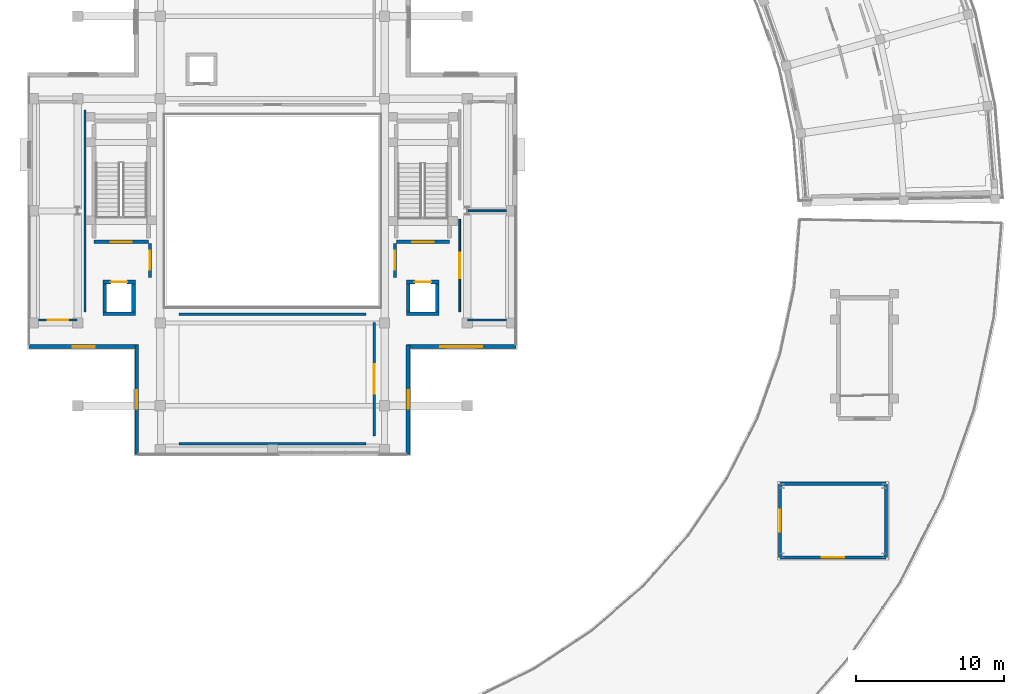
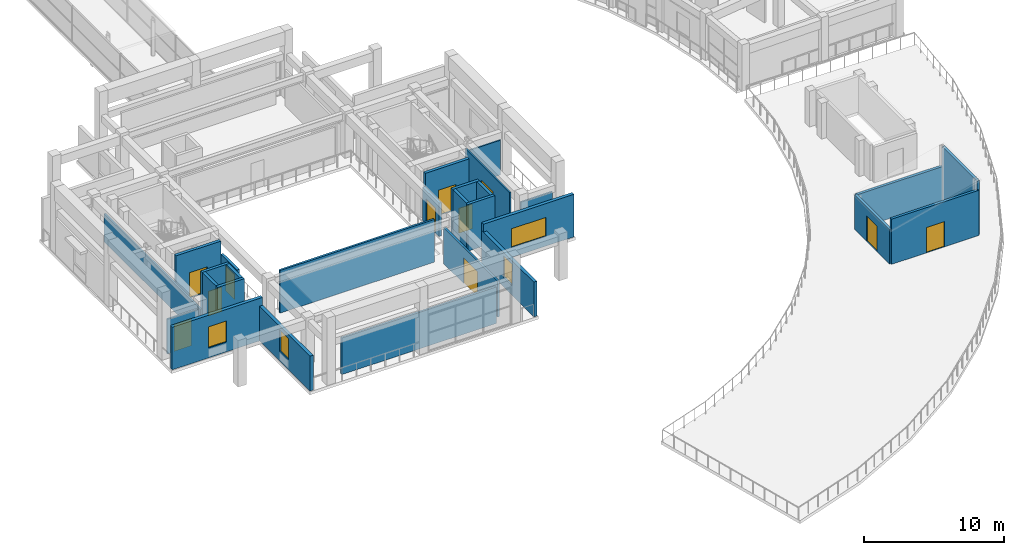
# One storey, part 19 of 29: 28 walls, 11 doors, 4 windows, 15 openings.
"""IFC4 building model written with IfcOpenShell, lengths in metres."""

from ifc_helpers import new_model, si_unit, direction, frame, frame_2d, origin, place, context, subcontext, project, spatial, rectangle, extrude, material, layer, layer_set, type_object, element, fill, save


model = new_model("IFC4")

# Units and contexts
model_context = context("Model", 3, precision=1e-05, world=origin(), true_north=direction((0.0, 1.0)))
body_context = subcontext(model_context, "Body", "Model", "MODEL_VIEW")
ifc_project = project(units=[si_unit("LENGTHUNIT", "METRE"), si_unit("AREAUNIT", "SQUARE_METRE"), si_unit("VOLUMEUNIT", "CUBIC_METRE"), si_unit("PLANEANGLEUNIT", "RADIAN"), si_unit("MASSUNIT", "GRAM", prefix="KILO")], contexts=[model_context])

# Site, building, storey
site_placement = place(None, origin())
site = spatial("IfcSite", under=ifc_project, at=site_placement, CompositionType="ELEMENT")
building_placement = place(site_placement, origin())
building = spatial("IfcBuilding", under=site, at=building_placement, Name="Saryqyr Civic Hall", CompositionType="ELEMENT")
storey_placement = place(building_placement, frame((0.0, 0.0, 25.35009765625)))
storey = spatial("IfcBuildingStorey", under=building, at=storey_placement, Name="L06", CompositionType="ELEMENT", Elevation=25.35009765625)

# Wall, opening, door
ifc_material_1 = material(Name="Precast concrete C40/50", Category="concrete")
ifc_layer_1 = layer(ifc_material_1, 0.219970703125, Name="Precast concrete C40/50")
ifc_layer_set_1 = layer_set([ifc_layer_1], Name="Precast concrete C40/50")
wall_type_1 = type_object("IfcWallType", Name="ENV-WAL-EXT-220", PredefinedType="STANDARD", material=ifc_layer_set_1)
wall_1_placement = place(storey_placement, frame((98.60009765625, 60.5, 0.0), z_axis=(0.0, 0.0, 1.0), x_axis=(-1.0, 0.0, 0.0)))
wall_1 = element("IfcWall", 1, at=wall_1_placement, inside=storey, type_object=wall_type_1, Name="Roof garden pavilion wall WAL-RG-V5-S", PredefinedType="STANDARD", context=body_context, shape_type="SweptSolid", body=[
    extrude(rectangle(XDim=7.2001953125, YDim=0.219970703125, at=frame_2d((3.60009765625, 0.0))), origin(), (0.0, 0.0, 1.0), 3.930908203125),
])
opening_1_placement = place(wall_1_placement, frame((2.85009765625, 0.0, 0.0)))
opening_1 = element("IfcOpeningElement", 2, at=opening_1_placement, cuts=wall_1, Name="Opening TD-A", PredefinedType="OPENING", context=body_context, shape_type="SweptSolid", body=[
    extrude(rectangle(XDim=1.5, YDim=2.199951171875, at=frame_2d((0.75, 1.10009765625))), frame((0.0, 0.119873046875, 0.0), z_axis=(0.0, -1.0, 0.0), x_axis=(1.0, 0.0, 0.0)), (0.0, 0.0, 1.0), 0.239990234375),
])
ifc_material_2 = material(Name="Thermally broken painted galvanized steel", Category="steel")
door_type_1 = type_object("IfcDoorType", Name="ENV-DR-TERR-1500x2200", OperationType="NOTDEFINED", PredefinedType="DOOR", material=ifc_material_2)
door_1_placement = place(opening_1_placement, origin())
door_1 = element("IfcDoor", 3, at=door_1_placement, inside=storey, type_object=door_type_1, Name="Planted roof garden terrace access door RG-V5", OperationType="SINGLE_SWING_RIGHT", OverallHeight=2.199951171875, OverallWidth=1.5, PredefinedType="DOOR", context=body_context, shape_type="SweptSolid", body=[
    extrude(rectangle(XDim=1.5, YDim=2.199951171875, at=frame_2d((0.75, 1.10009765625))), frame((0.0, 0.02490234375, 0.0), z_axis=(0.0, -1.0, 0.0), x_axis=(1.0, 0.0, 0.0)), (0.0, 0.0, 1.0), 0.050048828125),
])
fill(opening_1, door_1)

# Walls
wall_2_placement = place(storey_placement, frame((98.60009765625, 65.5, 0.0), z_axis=(0.0, 0.0, 1.0), x_axis=(0.0, -1.0, 0.0)))
element("IfcWall", 4, at=wall_2_placement, inside=storey, type_object=wall_type_1, Name="Roof garden pavilion wall WAL-RG-V5-E", PredefinedType="STANDARD", context=body_context, shape_type="SweptSolid", body=[
    extrude(rectangle(XDim=5.0, YDim=0.219970703125, at=frame_2d((2.5, 0.0))), origin(), (0.0, 0.0, 1.0), 4.681884765625),
])
wall_3_placement = place(storey_placement, frame((91.39990234375, 65.5, 0.0), z_axis=(0.0, 0.0, 1.0), x_axis=(1.0, 0.0, 0.0)))
element("IfcWall", 5, at=wall_3_placement, inside=storey, type_object=wall_type_1, Name="Roof garden pavilion wall WAL-RG-V5-N", PredefinedType="STANDARD", context=body_context, shape_type="SweptSolid", body=[
    extrude(rectangle(XDim=7.2001953125, YDim=0.219970703125, at=frame_2d((3.60009765625, 0.0))), origin(), (0.0, 0.0, 1.0), 3.0),
])

# Wall, opening, door
wall_4_placement = place(storey_placement, frame((91.39990234375, 60.5, 0.0), z_axis=(0.0, 0.0, 1.0), x_axis=(0.0, 1.0, 0.0)))
wall_4 = element("IfcWall", 6, at=wall_4_placement, inside=storey, type_object=wall_type_1, Name="Roof garden pavilion wall WAL-RG-V5-W", PredefinedType="STANDARD", context=body_context, shape_type="SweptSolid", body=[
    extrude(rectangle(XDim=5.0, YDim=0.219970703125, at=frame_2d((2.5, 0.0))), origin(), (0.0, 0.0, 1.0), 3.0),
])
opening_2_placement = place(wall_4_placement, frame((1.75, 0.0, 0.0)))
opening_2 = element("IfcOpeningElement", 7, at=opening_2_placement, cuts=wall_4, Name="Opening TD-A", PredefinedType="OPENING", context=body_context, shape_type="SweptSolid", body=[
    extrude(rectangle(XDim=1.5, YDim=2.199951171875, at=frame_2d((0.75, 1.10009765625))), frame((0.0, 0.119873046875, 0.0), z_axis=(0.0, -1.0, 0.0), x_axis=(1.0, 0.0, 0.0)), (0.0, 0.0, 1.0), 0.239990234375),
])
door_2_placement = place(opening_2_placement, origin())
door_2 = element("IfcDoor", 8, at=door_2_placement, inside=storey, type_object=door_type_1, Name="Planted roof garden terrace access door RG-V5", OperationType="SINGLE_SWING_LEFT", OverallHeight=2.199951171875, OverallWidth=1.5, PredefinedType="DOOR", context=body_context, shape_type="SweptSolid", body=[
    extrude(rectangle(XDim=1.5, YDim=2.199951171875, at=frame_2d((0.75, 1.10009765625))), frame((0.0, 0.02490234375, 0.0), z_axis=(0.0, -1.0, 0.0), x_axis=(1.0, 0.0, 0.0)), (0.0, 0.0, 1.0), 0.050048828125),
])
fill(opening_2, door_2)

# Wall, opening, window
ifc_layer_2 = layer(ifc_material_1, 0.27001953125, Name="Precast concrete C40/50")
ifc_layer_set_2 = layer_set([ifc_layer_2], Name="Precast concrete C40/50")
wall_type_2 = type_object("IfcWallType", Name="ENV-WAL-EXT-270", PredefinedType="STANDARD", material=ifc_layer_set_2)
wall_5_placement = place(storey_placement, frame((47.800048828125, 67.47998046875, 0.0), z_axis=(0.0, 0.0, 1.0), x_axis=(0.0, 1.0, 0.0)))
wall_5 = element("IfcWall", 9, at=wall_5_placement, inside=storey, type_object=wall_type_2, Name="Exterior wall V1-EW-L06-00", PredefinedType="STANDARD", context=body_context, shape_type="SweptSolid", body=[
    extrude(rectangle(XDim=7.43994140625, YDim=0.27001953125, at=frame_2d((3.719970703125, 0.0))), origin(), (0.0, 0.0, 1.0), 3.02490234375),
])
opening_3_placement = place(wall_5_placement, frame((3.094970703125, 0.0, 0.85009765625)))
opening_3 = element("IfcOpeningElement", 10, at=opening_3_placement, cuts=wall_5, Name="Opening W-25", PredefinedType="OPENING", context=body_context, shape_type="SweptSolid", body=[
    extrude(rectangle(XDim=1.25, YDim=1.85009765625, at=frame_2d((0.625, 0.925048828125))), frame((0.0, 0.14501953125, 0.0), z_axis=(0.0, -1.0, 0.0), x_axis=(1.0, 0.0, 0.0)), (0.0, 0.0, 1.0), 0.2900390625),
])
ifc_material_3 = material(Name="Anodised aluminium and triple low-E glass", Category="aluminium")
window_type_1 = type_object("IfcWindowType", Name="ENV-WIN-W25", PartitioningType="SINGLE_PANEL", PredefinedType="WINDOW", material=ifc_material_3)
window_1_placement = place(opening_3_placement, origin())
window_1 = element("IfcWindow", 11, at=window_1_placement, inside=storey, type_object=window_type_1, Name="Chamber cluster window L06-00", OverallHeight=1.85009765625, OverallWidth=1.25, PartitioningType="SINGLE_PANEL", PredefinedType="WINDOW", context=body_context, shape_type="SweptSolid", body=[
    extrude(rectangle(XDim=1.25, YDim=1.85009765625, at=frame_2d((0.625, 0.925048828125))), frame((0.0, 0.030029296875, 0.0), z_axis=(0.0, -1.0, 0.0), x_axis=(1.0, 0.0, 0.0)), (0.0, 0.0, 1.0), 0.06005859375),
])
fill(opening_3, window_1)

wall_6_placement = place(storey_placement, frame((47.919921875, 74.800048828125, 0.0), z_axis=(0.0, 0.0, 1.0), x_axis=(-1.0, 0.0, 0.0)))
wall_6 = element("IfcWall", 12, at=wall_6_placement, inside=storey, type_object=wall_type_2, Name="Exterior wall V1-EW-L06-01", PredefinedType="STANDARD", context=body_context, shape_type="SweptSolid", body=[
    extrude(rectangle(XDim=7.43994140625, YDim=0.27001953125, at=frame_2d((3.719970703125, 0.0))), origin(), (0.0, 0.0, 1.0), 3.699951171875),
])
opening_4_placement = place(wall_6_placement, frame((2.969970703125, 0.0, 0.85009765625)))
opening_4 = element("IfcOpeningElement", 13, at=opening_4_placement, cuts=wall_6, Name="Opening W-26", PredefinedType="OPENING", context=body_context, shape_type="SweptSolid", body=[
    extrude(rectangle(XDim=1.5, YDim=1.85009765625, at=frame_2d((0.75, 0.925048828125))), frame((0.0, 0.14501953125, 0.0), z_axis=(0.0, -1.0, 0.0), x_axis=(1.0, 0.0, 0.0)), (0.0, 0.0, 1.0), 0.2900390625),
])
window_type_2 = type_object("IfcWindowType", Name="ENV-WIN-W26", PartitioningType="SINGLE_PANEL", PredefinedType="WINDOW", material=ifc_material_3)
window_2_placement = place(opening_4_placement, origin())
window_2 = element("IfcWindow", 14, at=window_2_placement, inside=storey, type_object=window_type_2, Name="Chamber cluster window L06-01", OverallHeight=1.85009765625, OverallWidth=1.5, PartitioningType="SINGLE_PANEL", PredefinedType="WINDOW", context=body_context, shape_type="SweptSolid", body=[
    extrude(rectangle(XDim=1.5, YDim=1.85009765625, at=frame_2d((0.75, 0.925048828125))), frame((0.0, 0.030029296875, 0.0), z_axis=(0.0, -1.0, 0.0), x_axis=(1.0, 0.0, 0.0)), (0.0, 0.0, 1.0), 0.06005859375),
])
fill(opening_4, window_2)

wall_7_placement = place(storey_placement, frame((73.52001953125, 74.800048828125, 0.0), z_axis=(0.0, 0.0, 1.0), x_axis=(-1.0, 0.0, 0.0)))
wall_7 = element("IfcWall", 15, at=wall_7_placement, inside=storey, type_object=wall_type_2, Name="Exterior wall V1-EW-L06-09", PredefinedType="STANDARD", context=body_context, shape_type="SweptSolid", body=[
    extrude(rectangle(XDim=7.43994140625, YDim=0.27001953125, at=frame_2d((3.719970703125, 0.0))), origin(), (0.0, 0.0, 1.0), 3.699951171875),
])
opening_5_placement = place(wall_7_placement, frame((2.294921875, 0.0, 0.85009765625)))
opening_5 = element("IfcOpeningElement", 16, at=opening_5_placement, cuts=wall_7, Name="Opening W-24", PredefinedType="OPENING", context=body_context, shape_type="SweptSolid", body=[
    extrude(rectangle(XDim=2.85009765625, YDim=1.64990234375, at=frame_2d((1.425048828125, 0.824951171875))), frame((0.0, 0.14501953125, 0.0), z_axis=(0.0, -1.0, 0.0), x_axis=(1.0, 0.0, 0.0)), (0.0, 0.0, 1.0), 0.2900390625),
])
window_type_3 = type_object("IfcWindowType", Name="ENV-WIN-W24", PartitioningType="SINGLE_PANEL", PredefinedType="WINDOW", material=ifc_material_3)
window_3_placement = place(opening_5_placement, origin())
window_3 = element("IfcWindow", 17, at=window_3_placement, inside=storey, type_object=window_type_3, Name="Chamber cluster window L06-09", OverallHeight=1.64990234375, OverallWidth=2.85009765625, PartitioningType="SINGLE_PANEL", PredefinedType="WINDOW", context=body_context, shape_type="SweptSolid", body=[
    extrude(rectangle(XDim=2.85009765625, YDim=1.64990234375, at=frame_2d((1.425048828125, 0.824951171875))), frame((0.0, 0.030029296875, 0.0), z_axis=(0.0, -1.0, 0.0), x_axis=(1.0, 0.0, 0.0)), (0.0, 0.0, 1.0), 0.06005859375),
])
fill(opening_5, window_3)

wall_8_placement = place(storey_placement, frame((66.199951171875, 74.919921875, 0.0), z_axis=(0.0, 0.0, 1.0), x_axis=(0.0, -1.0, 0.0)))
wall_8 = element("IfcWall", 18, at=wall_8_placement, inside=storey, type_object=wall_type_2, Name="Exterior wall V1-EW-L06-10", PredefinedType="STANDARD", context=body_context, shape_type="SweptSolid", body=[
    extrude(rectangle(XDim=7.43994140625, YDim=0.27001953125, at=frame_2d((3.719970703125, 0.0))), origin(), (0.0, 0.0, 1.0), 3.02490234375),
])
opening_6_placement = place(wall_8_placement, frame((3.094970703125, 0.0, 0.85009765625)))
opening_6 = element("IfcOpeningElement", 19, at=opening_6_placement, cuts=wall_8, Name="Opening W-25", PredefinedType="OPENING", context=body_context, shape_type="SweptSolid", body=[
    extrude(rectangle(XDim=1.25, YDim=1.85009765625, at=frame_2d((0.625, 0.925048828125))), frame((0.0, 0.14501953125, 0.0), z_axis=(0.0, -1.0, 0.0), x_axis=(1.0, 0.0, 0.0)), (0.0, 0.0, 1.0), 0.2900390625),
])
window_4_placement = place(opening_6_placement, origin())
window_4 = element("IfcWindow", 20, at=window_4_placement, inside=storey, type_object=window_type_1, Name="Chamber cluster window L06-10", OverallHeight=1.85009765625, OverallWidth=1.25, PartitioningType="SINGLE_PANEL", PredefinedType="WINDOW", context=body_context, shape_type="SweptSolid", body=[
    extrude(rectangle(XDim=1.25, YDim=1.85009765625, at=frame_2d((0.625, 0.925048828125))), frame((0.0, 0.030029296875, 0.0), z_axis=(0.0, -1.0, 0.0), x_axis=(1.0, 0.0, 0.0)), (0.0, 0.0, 1.0), 0.06005859375),
])
fill(opening_6, window_4)

# Wall, opening, door
ifc_material_4 = material(Name="Autoclaved aerated concrete blockwork", Category="masonry")
ifc_layer_3 = layer(ifc_material_4, 0.199951171875, Name="Autoclaved aerated concrete blockwork")
ifc_layer_set_3 = layer_set([ifc_layer_3], Name="Autoclaved aerated concrete blockwork")
wall_type_3 = type_object("IfcWallType", Name="INT-WAL-FIR-200", PredefinedType="PARTITIONING", material=ifc_layer_set_3)
wall_9_placement = place(storey_placement, frame((48.699951171875, 81.800048828125, 0.0), z_axis=(0.0, 0.0, 1.0), x_axis=(0.0, -1.0, 0.0)))
wall_9 = element("IfcWall", 21, at=wall_9_placement, inside=storey, type_object=wall_type_3, Name="Firefighting lift lobby enclosure wall LF-01 L06", PredefinedType="PARTITIONING", context=body_context, shape_type="SweptSolid", body=[
    extrude(rectangle(XDim=2.300048828125, YDim=0.199951171875, at=frame_2d((1.14990234375, 0.0))), origin(), (0.0, 0.0, 1.0), 2.89990234375),
])
opening_7_placement = place(wall_9_placement, frame((0.5, 0.0, 0.0)))
opening_7 = element("IfcOpeningElement", 22, at=opening_7_placement, cuts=wall_9, Name="Opening FD-01", PredefinedType="OPENING", context=body_context, shape_type="SweptSolid", body=[
    extrude(rectangle(XDim=1.300048828125, YDim=2.199951171875, at=frame_2d((0.64990234375, 1.10009765625))), frame((0.0, 0.10986328125, 0.0), z_axis=(0.0, -1.0, 0.0), x_axis=(1.0, 0.0, 0.0)), (0.0, 0.0, 1.0), 0.219970703125),
])
ifc_material_5 = material(Name="Painted galvanized steel", Category="steel")
door_type_2 = type_object("IfcDoorType", Name="INT-DR-FFLOB-1300x2200", OperationType="NOTDEFINED", PredefinedType="DOOR", material=ifc_material_5)
door_3_placement = place(opening_7_placement, origin())
door_3 = element("IfcDoor", 23, at=door_3_placement, inside=storey, type_object=door_type_2, Name="Firefighting lift lobby smoke-control door LF-01 L06", OperationType="SINGLE_SWING_RIGHT", OverallHeight=2.199951171875, OverallWidth=1.300048828125, PredefinedType="DOOR", context=body_context, shape_type="SweptSolid", body=[
    extrude(rectangle(XDim=1.300048828125, YDim=2.199951171875, at=frame_2d((0.64990234375, 1.10009765625))), frame((0.0, 0.02490234375, 0.0), z_axis=(0.0, -1.0, 0.0), x_axis=(1.0, 0.0, 0.0)), (0.0, 0.0, 1.0), 0.050048828125),
])
fill(opening_7, door_3)

wall_10_placement = place(storey_placement, frame((65.300048828125, 79.5, 0.0), z_axis=(0.0, 0.0, 1.0), x_axis=(0.0, 1.0, 0.0)))
wall_10 = element("IfcWall", 24, at=wall_10_placement, inside=storey, type_object=wall_type_3, Name="Firefighting lift lobby enclosure wall LF-02 L06", PredefinedType="PARTITIONING", context=body_context, shape_type="SweptSolid", body=[
    extrude(rectangle(XDim=2.300048828125, YDim=0.199951171875, at=frame_2d((1.14990234375, 0.0))), origin(), (0.0, 0.0, 1.0), 2.89990234375),
])
opening_8_placement = place(wall_10_placement, frame((0.5, 0.0, 0.0)))
opening_8 = element("IfcOpeningElement", 25, at=opening_8_placement, cuts=wall_10, Name="Opening FD-01", PredefinedType="OPENING", context=body_context, shape_type="SweptSolid", body=[
    extrude(rectangle(XDim=1.300048828125, YDim=2.199951171875, at=frame_2d((0.64990234375, 1.10009765625))), frame((0.0, 0.10986328125, 0.0), z_axis=(0.0, -1.0, 0.0), x_axis=(1.0, 0.0, 0.0)), (0.0, 0.0, 1.0), 0.219970703125),
])
door_4_placement = place(opening_8_placement, origin())
door_4 = element("IfcDoor", 26, at=door_4_placement, inside=storey, type_object=door_type_2, Name="Firefighting lift lobby smoke-control door LF-02 L06", OperationType="SINGLE_SWING_LEFT", OverallHeight=2.199951171875, OverallWidth=1.300048828125, PredefinedType="DOOR", context=body_context, shape_type="SweptSolid", body=[
    extrude(rectangle(XDim=1.300048828125, YDim=2.199951171875, at=frame_2d((0.64990234375, 1.10009765625))), frame((0.0, 0.02490234375, 0.0), z_axis=(0.0, -1.0, 0.0), x_axis=(1.0, 0.0, 0.0)), (0.0, 0.0, 1.0), 0.050048828125),
])
fill(opening_8, door_4)

ifc_material_6 = material(Name="Metal-stud gypsum board partition", Category="gypsum")
ifc_layer_4 = layer(ifc_material_6, 0.125, Name="Metal-stud gypsum board partition")
ifc_layer_set_4 = layer_set([ifc_layer_4], Name="Metal-stud gypsum board partition")
wall_type_4 = type_object("IfcWallType", Name="INT-WAL-PRT-125", PredefinedType="PARTITIONING", material=ifc_layer_set_4)
wall_11_placement = place(storey_placement, frame((69.699951171875, 77.14990234375, 0.0), z_axis=(0.0, 0.0, 1.0), x_axis=(0.0, 1.0, 0.0)))
wall_11 = element("IfcWall", 27, at=wall_11_placement, inside=storey, type_object=wall_type_4, Name="Interior partition PRT-SP-V1-L06-R04-W1", PredefinedType="PARTITIONING", context=body_context, shape_type="SweptSolid", body=[
    extrude(rectangle(XDim=6.300048828125, YDim=0.125, at=frame_2d((3.14990234375, 0.0))), origin(), (0.0, 0.0, 1.0), 3.7099609375),
])
opening_9_placement = place(wall_11_placement, frame((2.300048828125, 0.0, 0.0)))
opening_9 = element("IfcOpeningElement", 28, at=opening_9_placement, cuts=wall_11, Name="Opening D-19", PredefinedType="OPENING", context=body_context, shape_type="SweptSolid", body=[
    extrude(rectangle(XDim=1.699951171875, YDim=2.35009765625, at=frame_2d((0.85009765625, 1.175048828125))), frame((0.0, 0.072509765625, 0.0), z_axis=(0.0, -1.0, 0.0), x_axis=(1.0, 0.0, 0.0)), (0.0, 0.0, 1.0), 0.14501953125),
])
ifc_material_7 = material(Name="Acoustic solid-core oak veneer", Category="wood")
door_type_3 = type_object("IfcDoorType", Name="INT-DR-D-19", OperationType="NOTDEFINED", PredefinedType="DOOR", material=ifc_material_7)
door_5_placement = place(opening_9_placement, origin())
door_5 = element("IfcDoor", 29, at=door_5_placement, inside=storey, type_object=door_type_3, Name="Interior door East Terrace Diplomatic Lounge", OperationType="DOUBLE_DOOR_SINGLE_SWING", OverallHeight=2.35009765625, OverallWidth=1.699951171875, PredefinedType="DOOR", context=body_context, shape_type="SweptSolid", body=[
    extrude(rectangle(XDim=1.699951171875, YDim=2.35009765625, at=frame_2d((0.85009765625, 1.175048828125))), frame((0.0, 0.02490234375, 0.0), z_axis=(0.0, -1.0, 0.0), x_axis=(1.0, 0.0, 0.0)), (0.0, 0.0, 1.0), 0.050048828125),
])
fill(opening_9, door_5)

# Walls
for number, where, z_axis, x_axis, name in (
    (30, (72.85009765625, 76.60009765625, 0.0), (0.0, 0.0, 1.0), (-1.0, 0.0, 0.0), "Interior partition PRT-SP-V1-L06-R04-W2"),
    (31, (70.25, 84.0, 0.0), (0.0, 0.0, 1.0), (1.0, 0.0, 0.0), "Interior partition PRT-SP-V1-L06-R04-W3"),
):
    element("IfcWall", number, at=place(storey_placement, frame(where, z_axis=z_axis, x_axis=x_axis)), inside=storey, type_object=wall_type_4, Name=name, PredefinedType="PARTITIONING", context=body_context, shape_type="SweptSolid", body=[
        extrude(rectangle(XDim=2.60009765625, YDim=0.125, at=frame_2d((1.300048828125, 0.0))), origin(), (0.0, 0.0, 1.0), 3.02490234375),
    ])

# Wall, opening, door
ifc_layer_5 = layer(ifc_material_6, 0.139892578125, Name="Metal-stud gypsum board partition")
ifc_layer_set_5 = layer_set([ifc_layer_5], Name="Metal-stud gypsum board partition")
wall_type_5 = type_object("IfcWallType", Name="INT-WAL-PRT-140", PredefinedType="PARTITIONING", material=ifc_layer_set_5)
wall_12_placement = place(storey_placement, frame((43.75, 76.60009765625, 0.0), z_axis=(0.0, 0.0, 1.0), x_axis=(-1.0, 0.0, 0.0)))
wall_12 = element("IfcWall", 32, at=wall_12_placement, inside=storey, type_object=wall_type_5, Name="Interior partition PRT-SP-V1-L06-R03-W1", PredefinedType="PARTITIONING", context=body_context, shape_type="SweptSolid", body=[
    extrude(rectangle(XDim=2.60009765625, YDim=0.139892578125, at=frame_2d((1.300048828125, 0.0))), origin(), (0.0, 0.0, 1.0), 3.02490234375),
])
opening_10_placement = place(wall_12_placement, frame((0.60009765625, 0.0, 0.0)))
opening_10 = element("IfcOpeningElement", 33, at=opening_10_placement, cuts=wall_12, Name="Opening D-18", PredefinedType="OPENING", context=body_context, shape_type="SweptSolid", body=[
    extrude(rectangle(XDim=1.39990234375, YDim=2.35009765625, at=frame_2d((0.699951171875, 1.175048828125))), frame((0.0, 0.079833984375, 0.0), z_axis=(0.0, -1.0, 0.0), x_axis=(1.0, 0.0, 0.0)), (0.0, 0.0, 1.0), 0.159912109375),
])
door_type_4 = type_object("IfcDoorType", Name="INT-DR-D-18", OperationType="NOTDEFINED", PredefinedType="DOOR", material=ifc_material_7)
door_6_placement = place(opening_10_placement, origin())
door_6 = element("IfcDoor", 34, at=door_6_placement, inside=storey, type_object=door_type_4, Name="Interior door Chamber Acoustics and Audio Control Studio", OperationType="SINGLE_SWING_RIGHT", OverallHeight=2.35009765625, OverallWidth=1.39990234375, PredefinedType="DOOR", context=body_context, shape_type="SweptSolid", body=[
    extrude(rectangle(XDim=1.39990234375, YDim=2.35009765625, at=frame_2d((0.699951171875, 1.175048828125))), frame((0.0, 0.02490234375, 0.0), z_axis=(0.0, -1.0, 0.0), x_axis=(1.0, 0.0, 0.0)), (0.0, 0.0, 1.0), 0.050048828125),
])
fill(opening_10, door_6)

# Walls
wall_13_placement = place(storey_placement, frame((44.300048828125, 90.85009765625, 0.0), z_axis=(0.0, 0.0, 1.0), x_axis=(0.0, -1.0, 0.0)))
element("IfcWall", 35, at=wall_13_placement, inside=storey, type_object=wall_type_5, Name="Interior partition PRT-SP-V1-L06-R03-W2", PredefinedType="PARTITIONING", context=body_context, shape_type="SweptSolid", body=[
    extrude(rectangle(XDim=13.7001953125, YDim=0.139892578125, at=frame_2d((6.85009765625, 0.0))), origin(), (0.0, 0.0, 1.0), 2.449951171875),
])
ifc_material_8 = material(Name="Acoustic double-stud gypsum board", Category="gypsum")
ifc_layer_6 = layer(ifc_material_8, 0.169921875, Name="Acoustic double-stud gypsum board")
ifc_layer_set_6 = layer_set([ifc_layer_6], Name="Acoustic double-stud gypsum board")
wall_type_6 = type_object("IfcWallType", Name="INT-WAL-PRT-170", PredefinedType="PARTITIONING", material=ifc_layer_set_6)
wall_14_placement = place(storey_placement, frame((50.64990234375, 77.0, 0.0), z_axis=(0.0, 0.0, 1.0), x_axis=(1.0, 0.0, 0.0)))
element("IfcWall", 36, at=wall_14_placement, inside=storey, type_object=wall_type_6, Name="Interior partition PRT-SP-V1-L06-R01-W1", PredefinedType="PARTITIONING", context=body_context, shape_type="SweptSolid", body=[
    extrude(rectangle(XDim=12.7001953125, YDim=0.169921875, at=frame_2d((6.35009765625, 0.0))), origin(), (0.0, 0.0, 1.0), 3.7099609375),
])
wall_15_placement = place(storey_placement, frame((63.35009765625, 68.199951171875, 0.0), z_axis=(0.0, 0.0, 1.0), x_axis=(-1.0, 0.0, 0.0)))
element("IfcWall", 37, at=wall_15_placement, inside=storey, type_object=wall_type_6, Name="Interior partition PRT-SP-V1-L06-R01-W2", PredefinedType="PARTITIONING", context=body_context, shape_type="SweptSolid", body=[
    extrude(rectangle(XDim=12.7001953125, YDim=0.169921875, at=frame_2d((6.35009765625, 0.0))), origin(), (0.0, 0.0, 1.0), 3.1748046875),
])

# Wall, opening, door
wall_16_placement = place(storey_placement, frame((63.89990234375, 76.449951171875, 0.0), z_axis=(0.0, 0.0, 1.0), x_axis=(0.0, -1.0, 0.0)))
wall_16 = element("IfcWall", 38, at=wall_16_placement, inside=storey, type_object=wall_type_6, Name="Interior partition PRT-SP-V1-L06-R01-W3", PredefinedType="PARTITIONING", context=body_context, shape_type="SweptSolid", body=[
    extrude(rectangle(XDim=7.699951171875, YDim=0.169921875, at=frame_2d((3.85009765625, 0.0))), origin(), (0.0, 0.0, 1.0), 3.125),
])
opening_11_placement = place(wall_16_placement, frame((2.85009765625, 0.0, 0.0)))
opening_11 = element("IfcOpeningElement", 39, at=opening_11_placement, cuts=wall_16, Name="Opening D-16", PredefinedType="OPENING", context=body_context, shape_type="SweptSolid", body=[
    extrude(rectangle(XDim=2.0, YDim=2.219970703125, at=frame_2d((1.0, 1.10986328125))), frame((0.0, 0.094970703125, 0.0), z_axis=(0.0, -1.0, 0.0), x_axis=(1.0, 0.0, 0.0)), (0.0, 0.0, 1.0), 0.18994140625),
])
door_type_5 = type_object("IfcDoorType", Name="INT-DR-D-16", OperationType="NOTDEFINED", PredefinedType="DOOR", material=ifc_material_7)
door_7_placement = place(opening_11_placement, origin())
door_7 = element("IfcDoor", 40, at=door_7_placement, inside=storey, type_object=door_type_5, Name="Interior door Simultaneous Interpretation Booths", OperationType="DOUBLE_DOOR_SINGLE_SWING", OverallHeight=2.219970703125, OverallWidth=2.0, PredefinedType="DOOR", context=body_context, shape_type="SweptSolid", body=[
    extrude(rectangle(XDim=2.0, YDim=2.219970703125, at=frame_2d((1.0, 1.10986328125))), frame((0.0, 0.02490234375, 0.0), z_axis=(0.0, -1.0, 0.0), x_axis=(1.0, 0.0, 0.0)), (0.0, 0.0, 1.0), 0.050048828125),
])
fill(opening_11, door_7)

# Walls
ifc_material_9 = material(Name="Concrete C40/50", Category="concrete")
ifc_layer_7 = layer(ifc_material_9, 0.239990234375, Name="Concrete C40/50")
ifc_layer_set_7 = layer_set([ifc_layer_7], Name="Concrete C40/50")
wall_type_7 = type_object("IfcWallType", Name="INT-WAL-SHR-240", PredefinedType="SHEAR", material=ifc_layer_set_7)
wall_17_placement = place(storey_placement, frame((47.699951171875, 77.02001953125, 0.0), z_axis=(0.0, 0.0, 1.0), x_axis=(-1.0, 0.0, 0.0)))
element("IfcWall", 41, at=wall_17_placement, inside=storey, type_object=wall_type_7, Name="Lift shaft shear wall LF-01-SHW-S-L06", PredefinedType="SHEAR", context=body_context, shape_type="SweptSolid", body=[
    extrude(rectangle(XDim=2.199951171875, YDim=0.239990234375, at=frame_2d((1.10009765625, 0.0))), origin(), (0.0, 0.0, 1.0), 4.0498046875),
])
wall_18_placement = place(storey_placement, frame((47.580078125, 79.06005859375, 0.0), z_axis=(0.0, 0.0, 1.0), x_axis=(0.0, -1.0, 0.0)))
element("IfcWall", 42, at=wall_18_placement, inside=storey, type_object=wall_type_7, Name="Lift shaft shear wall LF-01-SHW-E-L06", PredefinedType="SHEAR", context=body_context, shape_type="SweptSolid", body=[
    extrude(rectangle(XDim=1.920166015625, YDim=0.239990234375, at=frame_2d((0.9599609375, 0.0))), origin(), (0.0, 0.0, 1.0), 4.0498046875),
])

# Wall, opening, door
wall_19_placement = place(storey_placement, frame((45.5, 79.179931640625, 0.0), z_axis=(0.0, 0.0, 1.0), x_axis=(1.0, 0.0, 0.0)))
wall_19 = element("IfcWall", 43, at=wall_19_placement, inside=storey, type_object=wall_type_7, Name="Lift shaft shear wall LF-01-SHW-N-L06", PredefinedType="SHEAR", context=body_context, shape_type="SweptSolid", body=[
    extrude(rectangle(XDim=2.199951171875, YDim=0.239990234375, at=frame_2d((1.10009765625, 0.0))), origin(), (0.0, 0.0, 1.0), 4.0498046875),
])
opening_12_placement = place(wall_19_placement, frame((0.550048828125, 0.0, 0.0)))
opening_12 = element("IfcOpeningElement", 44, at=opening_12_placement, cuts=wall_19, Name="Opening LD-01", PredefinedType="OPENING", context=body_context, shape_type="SweptSolid", body=[
    extrude(rectangle(XDim=1.10009765625, YDim=2.14990234375, at=frame_2d((0.550048828125, 1.074951171875))), frame((0.0, 0.1298828125, 0.0), z_axis=(0.0, -1.0, 0.0), x_axis=(1.0, 0.0, 0.0)), (0.0, 0.0, 1.0), 0.260009765625),
])
ifc_material_10 = material(Name="Brushed stainless steel", Category="steel")
door_type_6 = type_object("IfcDoorType", Name="INT-DR-LD-1100x2150", OperationType="NOTDEFINED", PredefinedType="DOOR", material=ifc_material_10)
door_8_placement = place(opening_12_placement, origin())
door_8 = element("IfcDoor", 45, at=door_8_placement, inside=storey, type_object=door_type_6, Name="Lift sliding landing door LF-01 L06", OperationType="SLIDING_TO_LEFT", OverallHeight=2.14990234375, OverallWidth=1.10009765625, PredefinedType="DOOR", context=body_context, shape_type="SweptSolid", body=[
    extrude(rectangle(XDim=1.10009765625, YDim=2.14990234375, at=frame_2d((0.550048828125, 1.074951171875))), frame((0.0, 0.02490234375, 0.0), z_axis=(0.0, -1.0, 0.0), x_axis=(1.0, 0.0, 0.0)), (0.0, 0.0, 1.0), 0.050048828125),
])
fill(opening_12, door_8)

# Walls
wall_20_placement = place(storey_placement, frame((45.6201171875, 77.139892578125, 0.0), z_axis=(0.0, 0.0, 1.0), x_axis=(0.0, 1.0, 0.0)))
element("IfcWall", 46, at=wall_20_placement, inside=storey, type_object=wall_type_7, Name="Lift shaft shear wall LF-01-SHW-W-L06", PredefinedType="SHEAR", context=body_context, shape_type="SweptSolid", body=[
    extrude(rectangle(XDim=1.920166015625, YDim=0.239990234375, at=frame_2d((0.9599609375, 0.0))), origin(), (0.0, 0.0, 1.0), 4.0498046875),
])
wall_21_placement = place(storey_placement, frame((68.300048828125, 77.02001953125, 0.0), z_axis=(0.0, 0.0, 1.0), x_axis=(-1.0, 0.0, 0.0)))
element("IfcWall", 47, at=wall_21_placement, inside=storey, type_object=wall_type_7, Name="Lift shaft shear wall LF-02-SHW-S-L06", PredefinedType="SHEAR", context=body_context, shape_type="SweptSolid", body=[
    extrude(rectangle(XDim=2.199951171875, YDim=0.239990234375, at=frame_2d((1.10009765625, 0.0))), origin(), (0.0, 0.0, 1.0), 4.0498046875),
])
wall_22_placement = place(storey_placement, frame((68.179931640625, 79.06005859375, 0.0), z_axis=(0.0, 0.0, 1.0), x_axis=(0.0, -1.0, 0.0)))
element("IfcWall", 48, at=wall_22_placement, inside=storey, type_object=wall_type_7, Name="Lift shaft shear wall LF-02-SHW-E-L06", PredefinedType="SHEAR", context=body_context, shape_type="SweptSolid", body=[
    extrude(rectangle(XDim=1.920166015625, YDim=0.239990234375, at=frame_2d((0.9599609375, 0.0))), origin(), (0.0, 0.0, 1.0), 4.0498046875),
])

# Wall, opening, door
wall_23_placement = place(storey_placement, frame((66.10009765625, 79.179931640625, 0.0), z_axis=(0.0, 0.0, 1.0), x_axis=(1.0, 0.0, 0.0)))
wall_23 = element("IfcWall", 49, at=wall_23_placement, inside=storey, type_object=wall_type_7, Name="Lift shaft shear wall LF-02-SHW-N-L06", PredefinedType="SHEAR", context=body_context, shape_type="SweptSolid", body=[
    extrude(rectangle(XDim=2.199951171875, YDim=0.239990234375, at=frame_2d((1.10009765625, 0.0))), origin(), (0.0, 0.0, 1.0), 4.0498046875),
])
opening_13_placement = place(wall_23_placement, frame((0.550048828125, 0.0, 0.0)))
opening_13 = element("IfcOpeningElement", 50, at=opening_13_placement, cuts=wall_23, Name="Opening LD-01", PredefinedType="OPENING", context=body_context, shape_type="SweptSolid", body=[
    extrude(rectangle(XDim=1.10009765625, YDim=2.14990234375, at=frame_2d((0.550048828125, 1.074951171875))), frame((0.0, 0.1298828125, 0.0), z_axis=(0.0, -1.0, 0.0), x_axis=(1.0, 0.0, 0.0)), (0.0, 0.0, 1.0), 0.260009765625),
])
door_9_placement = place(opening_13_placement, origin())
door_9 = element("IfcDoor", 51, at=door_9_placement, inside=storey, type_object=door_type_6, Name="Lift sliding landing door LF-02 L06", OperationType="SLIDING_TO_RIGHT", OverallHeight=2.14990234375, OverallWidth=1.10009765625, PredefinedType="DOOR", context=body_context, shape_type="SweptSolid", body=[
    extrude(rectangle(XDim=1.10009765625, YDim=2.14990234375, at=frame_2d((0.550048828125, 1.074951171875))), frame((0.0, 0.02490234375, 0.0), z_axis=(0.0, -1.0, 0.0), x_axis=(1.0, 0.0, 0.0)), (0.0, 0.0, 1.0), 0.050048828125),
])
fill(opening_13, door_9)

# Wall
wall_24_placement = place(storey_placement, frame((66.219970703125, 77.139892578125, 0.0), z_axis=(0.0, 0.0, 1.0), x_axis=(0.0, 1.0, 0.0)))
element("IfcWall", 52, at=wall_24_placement, inside=storey, type_object=wall_type_7, Name="Lift shaft shear wall LF-02-SHW-W-L06", PredefinedType="SHEAR", context=body_context, shape_type="SweptSolid", body=[
    extrude(rectangle(XDim=1.920166015625, YDim=0.239990234375, at=frame_2d((0.9599609375, 0.0))), origin(), (0.0, 0.0, 1.0), 4.0498046875),
])

# Wall, opening, door
ifc_layer_8 = layer(ifc_material_9, 0.25, Name="Concrete C40/50")
ifc_layer_set_8 = layer_set([ifc_layer_8], Name="Concrete C40/50")
wall_type_8 = type_object("IfcWallType", Name="INT-WAL-SHR-250", PredefinedType="SHEAR", material=ifc_layer_set_8)
wall_25_placement = place(storey_placement, frame((48.60009765625, 81.89990234375, 0.0), z_axis=(0.0, 0.0, 1.0), x_axis=(-1.0, 0.0, 0.0)))
wall_25 = element("IfcWall", 53, at=wall_25_placement, inside=storey, type_object=wall_type_8, Name="Protected stair shaft wall ST-1-SW1-L06", PredefinedType="SHEAR", context=body_context, shape_type="SweptSolid", body=[
    extrude(rectangle(XDim=3.7001953125, YDim=0.25, at=frame_2d((1.85009765625, 0.0))), origin(), (0.0, 0.0, 1.0), 4.0498046875),
])
opening_14_placement = place(wall_25_placement, frame((1.125, 0.0, 0.0)))
opening_14 = element("IfcOpeningElement", 54, at=opening_14_placement, cuts=wall_25, Name="Opening SD-02", PredefinedType="OPENING", context=body_context, shape_type="SweptSolid", body=[
    extrude(rectangle(XDim=1.449951171875, YDim=2.199951171875, at=frame_2d((0.72509765625, 1.10009765625))), frame((0.0, 0.135009765625, 0.0), z_axis=(0.0, -1.0, 0.0), x_axis=(1.0, 0.0, 0.0)), (0.0, 0.0, 1.0), 0.27001953125),
])
door_type_7 = type_object("IfcDoorType", Name="INT-DR-STAIR-1450x2200", OperationType="NOTDEFINED", PredefinedType="DOOR", material=ifc_material_5)
door_10_placement = place(opening_14_placement, origin())
door_10 = element("IfcDoor", 55, at=door_10_placement, inside=storey, type_object=door_type_7, Name="Exit stair landing fire door ST-1-L06", OperationType="SINGLE_SWING_RIGHT", OverallHeight=2.199951171875, OverallWidth=1.449951171875, PredefinedType="DOOR", context=body_context, shape_type="SweptSolid", body=[
    extrude(rectangle(XDim=1.449951171875, YDim=2.199951171875, at=frame_2d((0.72509765625, 1.10009765625))), frame((0.0, 0.02490234375, 0.0), z_axis=(0.0, -1.0, 0.0), x_axis=(1.0, 0.0, 0.0)), (0.0, 0.0, 1.0), 0.050048828125),
])
fill(opening_14, door_10)

wall_26_placement = place(storey_placement, frame((69.0, 81.89990234375, 0.0), z_axis=(0.0, 0.0, 1.0), x_axis=(-1.0, 0.0, 0.0)))
wall_26 = element("IfcWall", 56, at=wall_26_placement, inside=storey, type_object=wall_type_8, Name="Protected stair shaft wall ST-2-SW1-L06", PredefinedType="SHEAR", context=body_context, shape_type="SweptSolid", body=[
    extrude(rectangle(XDim=3.60009765625, YDim=0.25, at=frame_2d((1.800048828125, 0.0))), origin(), (0.0, 0.0, 1.0), 4.0498046875),
])
opening_15_placement = place(wall_26_placement, frame((1.074951171875, 0.0, 0.0)))
opening_15 = element("IfcOpeningElement", 57, at=opening_15_placement, cuts=wall_26, Name="Opening SD-02", PredefinedType="OPENING", context=body_context, shape_type="SweptSolid", body=[
    extrude(rectangle(XDim=1.449951171875, YDim=2.199951171875, at=frame_2d((0.72509765625, 1.10009765625))), frame((0.0, 0.135009765625, 0.0), z_axis=(0.0, -1.0, 0.0), x_axis=(1.0, 0.0, 0.0)), (0.0, 0.0, 1.0), 0.27001953125),
])
door_11_placement = place(opening_15_placement, origin())
door_11 = element("IfcDoor", 58, at=door_11_placement, inside=storey, type_object=door_type_7, Name="Exit stair landing fire door ST-2-L06", OperationType="SINGLE_SWING_LEFT", OverallHeight=2.199951171875, OverallWidth=1.449951171875, PredefinedType="DOOR", context=body_context, shape_type="SweptSolid", body=[
    extrude(rectangle(XDim=1.449951171875, YDim=2.199951171875, at=frame_2d((0.72509765625, 1.10009765625))), frame((0.0, 0.02490234375, 0.0), z_axis=(0.0, -1.0, 0.0), x_axis=(1.0, 0.0, 0.0)), (0.0, 0.0, 1.0), 0.050048828125),
])
fill(opening_15, door_11)

save(model, "model.ifc")
